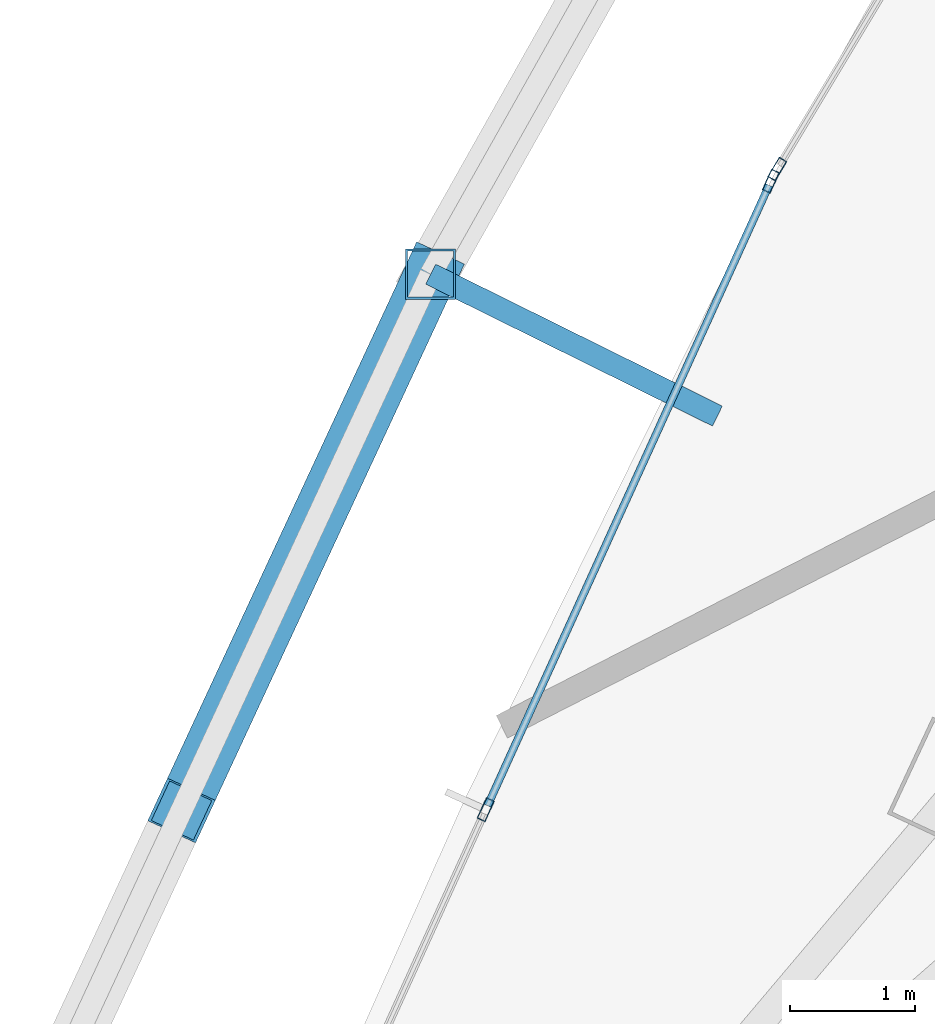
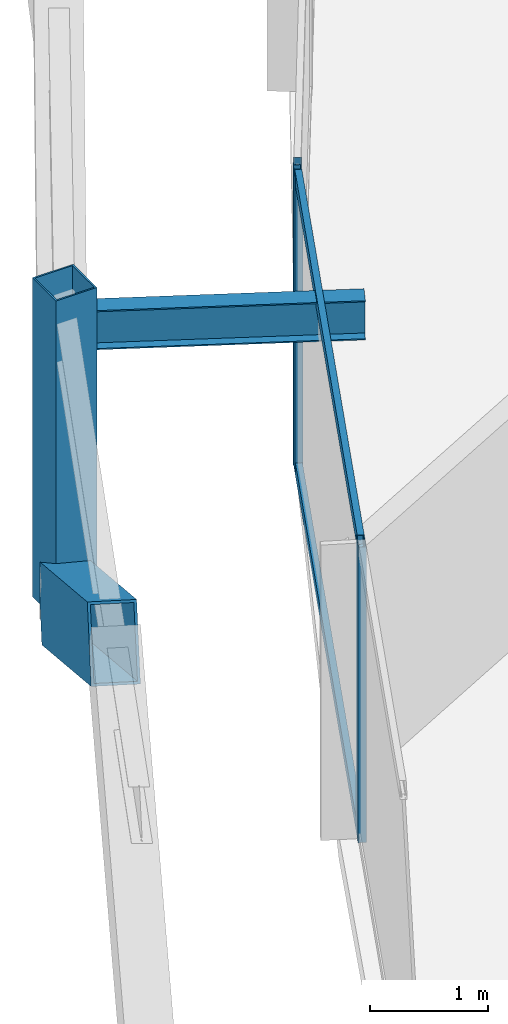
# One storey, part 10 of 31: 7 members, 1 beam, 2 elements without a shape of their own.
"""IFC4 building model written with IfcOpenShell, lengths in metres."""

import ifcopenshell
import ifcopenshell.guid

model = None  # the IFC model being written
_history = None  # IfcOwnerHistory: only IFC2X3 demands one
_inside = {}  # id of a spatial element -> (the spatial element, [elements in it])
_under = {}  # id of a project, library or spatial element -> (it, [spatial elements below it])
_declared = {}  # id of a project -> (the project, [libraries it declares])
_typed = {}  # id of a type object -> (the type object, [elements of that type])
_made_of = {}  # id of a material, layer set ... -> (it, [elements and type objects made of it])


def new_model(schema):
    """Start an empty IFC model of exactly this schema.

    Asked for "IFC4X3", IfcOpenShell would pick the latest addendum, in which some entities
    have other attributes; the version numbers below select the first issue.
    IFC2X3 requires an IfcOwnerHistory on every rooted entity: one is made here for all.
    """
    global model, _history
    if schema == "IFC4X3":
        model = ifcopenshell.file(schema_version=(4, 3, 0, 0))
    else:
        model = ifcopenshell.file(schema=schema)
    _inside.clear()
    _under.clear()
    _declared.clear()
    _typed.clear()
    _made_of.clear()
    _history = None
    if model.schema == "IFC2X3":
        org = make("IfcOrganization", Name="unknown")
        user = make(
            "IfcPersonAndOrganization",
            ThePerson=make("IfcPerson", FamilyName="unknown"),
            TheOrganization=org,
        )
        app = make(
            "IfcApplication",
            ApplicationDeveloper=org,
            Version="unknown",
            ApplicationFullName="unknown",
            ApplicationIdentifier="unknown",
        )
        _history = make(
            "IfcOwnerHistory",
            OwningUser=user,
            OwningApplication=app,
            ChangeAction="ADDED",
            CreationDate=0,
        )
    return model


def make(cls, **values):
    """One entity of the class cls with the attributes given. An attribute that is None is left unset."""
    return model.create_entity(
        cls, **{name: value for name, value in values.items() if value is not None}
    )


def rooted(cls, **values):
    """An entity with a GlobalId (a new one), such as an element, a storey or a relation."""
    return make(cls, GlobalId=ifcopenshell.guid.new(), OwnerHistory=_history, **values)


def si_unit(unit_type, name, prefix=None):
    """IfcSIUnit, for example si_unit("LENGTHUNIT", "METRE", prefix="MILLI")."""
    return make("IfcSIUnit", UnitType=unit_type, Prefix=prefix, Name=name)


def assignment(units):
    """IfcUnitAssignment: the units of a project."""
    return None if units is None else make("IfcUnitAssignment", Units=units)


def point(xyz):
    """IfcCartesianPoint."""
    return None if xyz is None else make("IfcCartesianPoint", Coordinates=xyz)


def direction(xyz):
    """IfcDirection."""
    return None if xyz is None else make("IfcDirection", DirectionRatios=xyz)


def frame(location, z_axis=None, x_axis=None):
    """IfcAxis2Placement3D, a coordinate frame: its origin and axes. An axis left out is left unset."""
    return make(
        "IfcAxis2Placement3D",
        Location=point(location),
        Axis=direction(z_axis),
        RefDirection=direction(x_axis),
    )


def frame_2d(location, x_axis=None):
    """IfcAxis2Placement2D, a coordinate frame in the plane: its origin and x axis."""
    return make(
        "IfcAxis2Placement2D", Location=point(location), RefDirection=direction(x_axis)
    )


def origin():
    """The frame at (0, 0, 0) with its axes left unset."""
    return frame((0.0, 0.0, 0.0))


def origin_2d():
    """The frame at (0, 0) in the plane with its x axis left unset."""
    return frame_2d((0.0, 0.0))


def place(relative_to, where):
    """IfcLocalPlacement: puts the frame where relative to a parent placement (None: the world)."""
    return make(
        "IfcLocalPlacement", PlacementRelTo=relative_to, RelativePlacement=where
    )


def context(
    kind, dimensions, precision=None, world=None, true_north=None, identifier=None
):
    """IfcGeometricRepresentationContext, for example the 3D "Model" context."""
    return make(
        "IfcGeometricRepresentationContext",
        ContextIdentifier=identifier,
        ContextType=kind,
        CoordinateSpaceDimension=dimensions,
        Precision=precision,
        WorldCoordinateSystem=world,
        TrueNorth=true_north,
    )


def subcontext(parent, identifier, kind, view, scale=None):
    """IfcGeometricRepresentationSubContext, for example "Body" below "Model"."""
    return make(
        "IfcGeometricRepresentationSubContext",
        ContextIdentifier=identifier,
        ContextType=kind,
        ParentContext=parent,
        TargetScale=scale,
        TargetView=view,
    )


def project(units=None, contexts=None):
    """IfcProject with its units and contexts."""
    return rooted(
        "IfcProject",
        Name="project",
        RepresentationContexts=contexts,
        UnitsInContext=assignment(units),
    )


def spatial(cls, under=None, at=None, **own):
    """A site, building, storey or space (cls), placed at a placement, below another one or the project."""
    s = rooted(cls, ObjectPlacement=at, **own)
    if under is not None:
        _under.setdefault(under.id(), (under, []))[1].append(s)
    return s


def profile(cls, at=None, kind="AREA", **sizes):
    """A parametric profile (cls). Its sizes go by their IFC names, for example OverallWidth=200.0."""
    return make(cls, ProfileType=kind, Position=at, **sizes)


def hollow_rectangle(**sizes):
    """IfcRectangleHollowProfileDef."""
    return profile("IfcRectangleHollowProfileDef", **sizes)


def i_section(**sizes):
    """IfcIShapeProfileDef."""
    return profile("IfcIShapeProfileDef", **sizes)


def extrude(swept, where, along, depth):
    """IfcExtrudedAreaSolid: the profile swept, set in the frame where, extruded along a direction by depth."""
    return make(
        "IfcExtrudedAreaSolid",
        SweptArea=swept,
        Position=where,
        ExtrudedDirection=direction(along),
        Depth=depth,
    )


def shape(context_of_items, identifier, shape_type, items):
    """IfcShapeRepresentation: the items that make up one representation, for example the "Body"."""
    return make(
        "IfcShapeRepresentation",
        ContextOfItems=context_of_items,
        RepresentationIdentifier=identifier,
        RepresentationType=shape_type,
        Items=items,
    )


def material(Name=None, Category=None):
    """IfcMaterial."""
    return make("IfcMaterial", Name=Name, Category=Category)


def layer(
    of_material, thickness, ventilated=None, Name=None, Category=None, Priority=None
):
    """IfcMaterialLayer: one layer of a wall or slab, of a material (None: an air gap)."""
    return make(
        "IfcMaterialLayer",
        Material=of_material,
        LayerThickness=thickness,
        IsVentilated=ventilated,
        Name=Name,
        Category=Category,
        Priority=Priority,
    )


def layer_set(layers, Name=None):
    """IfcMaterialLayerSet."""
    return make("IfcMaterialLayerSet", MaterialLayers=layers, LayerSetName=Name)


def material_profile(
    of_material, cross_section, Name=None, Category=None, Priority=None
):
    """IfcMaterialProfile: a cross section and its material."""
    return make(
        "IfcMaterialProfile",
        Name=Name,
        Material=of_material,
        Profile=cross_section,
        Priority=Priority,
        Category=Category,
    )


def profile_set(profiles, Name=None, composite=None):
    """IfcMaterialProfileSet."""
    return make(
        "IfcMaterialProfileSet",
        Name=Name,
        MaterialProfiles=profiles,
        CompositeProfile=composite,
    )


def made_of(thing, what):
    """Note that an element or type object is made of a material, layer set ...; save() writes the relation."""
    if what is not None:
        _made_of.setdefault(what.id(), (what, []))[1].append(thing)
    return thing


def type_object(cls, material=None, **own):
    """A type object (cls), such as IfcWallType, which elements share."""
    return made_of(rooted(cls, **own), material)


def element(
    cls,
    number,
    at=None,
    inside=None,
    cuts=None,
    type_object=None,
    material=None,
    context=None,
    identifier="Body",
    shape_type=None,
    held_by="IfcProductDefinitionShape",
    body=None,
    shapes=None,
    **own,
):
    """One element of the class cls, such as IfcWall. Its Tag is "e" and its number.

    at: its placement. inside: the storey or other place that contains it. cuts: it is an
    opening in that element (IfcRelVoidsElement). A single representation is given by context,
    identifier, shape_type and body (its items); several are given by shapes. held_by: the class
    of the entity that holds the representations. save() writes the other relations.
    """
    e = rooted(cls, Tag="e%d" % number, ObjectPlacement=at, **own)
    if body is not None:
        shapes = [shape(context, identifier, shape_type, body)]
    if shapes is not None:
        e.Representation = make(held_by, Representations=shapes)
    if inside is not None:
        _inside.setdefault(inside.id(), (inside, []))[1].append(e)
    if cuts is not None:
        rooted(
            "IfcRelVoidsElement", RelatingBuildingElement=cuts, RelatedOpeningElement=e
        )
    if type_object is not None:
        _typed.setdefault(type_object.id(), (type_object, []))[1].append(e)
    return made_of(e, material)


def aggregate(whole, parts):
    """IfcRelAggregates: a whole, such as a stair, and the parts it consists of."""
    return rooted("IfcRelAggregates", RelatingObject=whole, RelatedObjects=parts)


def save(model, path):
    """Write the relations noted so far, then the file.

    IfcRelAggregates (storeys below a building ...), IfcRelContainedInSpatialStructure (elements
    in a storey), IfcRelDefinesByType, IfcRelAssociatesMaterial and IfcRelDeclares: one each for
    every whole, place, type object, material and project.
    """
    for whole, parts in _under.values():
        aggregate(whole, parts)
    for where, things in _inside.values():
        rooted(
            "IfcRelContainedInSpatialStructure",
            RelatedElements=things,
            RelatingStructure=where,
        )
    for kind, things in _typed.values():
        rooted("IfcRelDefinesByType", RelatedObjects=things, RelatingType=kind)
    for what, things in _made_of.values():
        rooted("IfcRelAssociatesMaterial", RelatedObjects=things, RelatingMaterial=what)
    for by, libraries in _declared.values():
        rooted("IfcRelDeclares", RelatingContext=by, RelatedDefinitions=libraries)
    model.write(path)


model = new_model("IFC4")

# Units and contexts
model_context = context("Model", 3, precision=1e-05, world=origin(), true_north=direction((0.0, 1.0)))
body_context = subcontext(model_context, "Body", "Model", "MODEL_VIEW")
ifc_project = project(units=[si_unit("LENGTHUNIT", "METRE"), si_unit("AREAUNIT", "SQUARE_METRE"), si_unit("VOLUMEUNIT", "CUBIC_METRE"), si_unit("PLANEANGLEUNIT", "RADIAN"), si_unit("MASSUNIT", "GRAM", prefix="KILO")], contexts=[model_context])

# Site, building, storey
site_placement = place(None, origin())
site = spatial("IfcSite", under=ifc_project, at=site_placement, CompositionType="ELEMENT")
building_placement = place(site_placement, origin())
building = spatial("IfcBuilding", under=site, at=building_placement, Name="Orvanel Arch Residences", CompositionType="ELEMENT")
storey_placement = place(building_placement, frame((0.0, 0.0, 150.64990234375)))
storey = spatial("IfcBuildingStorey", under=building, at=storey_placement, Name="L42", CompositionType="ELEMENT", Elevation=150.64990234375)

# Member
ifc_material_1 = material(Name="Structural steel AS/NZS 3678 Grade 350", Category="steel")
ifc_material_profile_1 = material_profile(ifc_material_1, hollow_rectangle(XDim=0.419921875, YDim=0.719970703125, WallThickness=0.02490234375, at=origin_2d()), Name="RHS720x420x25")
ifc_profile_set_1 = profile_set([ifc_material_profile_1], Name="Structural steel AS/NZS 3678 Grade 350")
member_type_1 = type_object("IfcMemberType", Name="BR-720RHS-EXT", PredefinedType="BRACE", material=ifc_profile_set_1)
member_1_placement = place(storey_placement, frame((12.159912109375, 23.738037109375, 0.0), z_axis=(-0.360215812776, -0.775655269336, 0.518269689811), x_axis=(0.906968700479, -0.421198025104, 0.0)))
element("IfcMember", 1, at=member_1_placement, inside=storey, type_object=member_type_1, Name="L42 Exterior Sky-Garden V-Frame Chevron F1B3.1", PredefinedType="BRACE", context=body_context, shape_type="SweptSolid", body=[
    extrude(hollow_rectangle(XDim=0.419921875, YDim=0.719970703125, WallThickness=0.02490234375, at=origin_2d()), origin(), (0.0, 0.0, 1.0), 5.512939453125),
])

# Curtain wall, member
ifc_material_2 = material(Name="Bronze-anodised aluminium AA6063-T6", Category="aluminium")
ifc_layer = layer(ifc_material_2, 0.179931640625)
ifc_layer_set = layer_set([ifc_layer], Name="Bronze-anodised aluminium AA6063-T6")
curtain_wall_type = type_object("IfcCurtainWallType", Name="CW3-MID-SYS", PredefinedType="NOTDEFINED", material=ifc_layer_set)
curtain_wall_1_placement = place(storey_placement, origin())
curtain_wall_1 = element("IfcCurtainWall", 2, at=curtain_wall_1_placement, inside=storey, type_object=curtain_wall_type, Name="L42 CW3-MID-SYS Unitised Curtain Wall", PredefinedType="NOTDEFINED")
ifc_material_profile_2 = material_profile(ifc_material_2, hollow_rectangle(XDim=0.070068359375, YDim=0.179931640625, WallThickness=0.00439453125, at=origin_2d()), Name="ALU180x70x4.5")
ifc_profile_set_2 = profile_set([ifc_material_profile_2], Name="Bronze-anodised aluminium AA6063-T6")
member_type_2 = type_object("IfcMemberType", Name="MUL-180x70", PredefinedType="MULLION", material=ifc_profile_set_2)
member_2_placement = place(storey_placement, frame((14.923095703125, 24.575927734375, 0.0), z_axis=(0.0, 0.0, 1.0), x_axis=(0.857541106242, -0.514415446021, 0.0)))
member_2 = element("IfcMember", 3, at=member_2_placement, type_object=member_type_2, Name="CW-S3 mullion 3", PredefinedType="MULLION", context=body_context, shape_type="SweptSolid", body=[
    extrude(hollow_rectangle(XDim=0.070068359375, YDim=0.179931640625, WallThickness=0.00439453125, at=origin_2d()), origin(), (0.0, 0.0, 1.0), 3.06005859375),
])
aggregate(curtain_wall_1, [member_2])

# Curtain wall, members
curtain_wall_2_placement = place(storey_placement, origin())
curtain_wall_2 = element("IfcCurtainWall", 4, at=curtain_wall_2_placement, inside=storey, type_object=curtain_wall_type, Name="L42 CW3-MID-SYS Unitised Curtain Wall", PredefinedType="NOTDEFINED")
member_3_placement = place(storey_placement, frame((14.87255859375, 24.479248046875, 0.0), z_axis=(0.0, 0.0, 1.0), x_axis=(0.910648730279, -0.413181425091, 0.0)))
member_3 = element("IfcMember", 5, at=member_3_placement, type_object=member_type_2, Name="CW-S3 mullion 1", PredefinedType="MULLION", context=body_context, shape_type="SweptSolid", body=[
    extrude(hollow_rectangle(XDim=0.070068359375, YDim=0.179931640625, WallThickness=0.00439453125, at=origin_2d()), origin(), (0.0, 0.0, 1.0), 3.06005859375),
])
member_4_placement = place(storey_placement, frame((12.599365234375, 19.468994140625, 0.0), z_axis=(0.0, 0.0, 1.0), x_axis=(0.910648730279, -0.413181425091, 0.0)))
member_4 = element("IfcMember", 6, at=member_4_placement, type_object=member_type_2, Name="CW-S3 mullion 2", PredefinedType="MULLION", context=body_context, shape_type="SweptSolid", body=[
    extrude(hollow_rectangle(XDim=0.070068359375, YDim=0.179931640625, WallThickness=0.00439453125, at=origin_2d()), origin(), (0.0, 0.0, 1.0), 3.06005859375),
])

# Beam
ifc_material_3 = material(Name="Structural steel AS/NZS 3679.1 Grade 300 (300 MPa)", Category="steel")
ifc_material_profile_3 = material_profile(ifc_material_3, i_section(OverallWidth=0.177978515625, OverallDepth=0.406005859375, WebThickness=0.0078125, FlangeThickness=0.0126953125, at=origin_2d()), Name="410UB59.7")
ifc_profile_set_3 = profile_set([ifc_material_profile_3], Name="Structural steel AS/NZS 3679.1 Grade 300 (300 MPa)")
beam_type = type_object("IfcBeamType", Name="OB-410UB-EXT", PredefinedType="SPANDREL", material=ifc_profile_set_3)
beam_placement = place(storey_placement, frame((14.446044921875, 22.60693359375, 2.857177734375), z_axis=(-0.896295377038, 0.44345754825, 0.0), x_axis=(-0.44345754825, -0.896295377038, 0.0)))
element("IfcBeam", 7, at=beam_placement, inside=storey, type_object=beam_type, Name="L42 Outer Frame Radial Tie Beam 03", PredefinedType="SPANDREL", context=body_context, shape_type="SweptSolid", body=[
    extrude(i_section(OverallWidth=0.177978515625, OverallDepth=0.406005859375, WebThickness=0.0078125, FlangeThickness=0.0126953125, at=origin_2d()), origin(), (0.0, 0.0, 1.0), 2.550537109375),
])

# Member
ifc_material_4 = material(Name="Structural steel AS/NZS 1163 C450L0 (Grade 450)", Category="steel")
ifc_material_profile_4 = material_profile(ifc_material_4, hollow_rectangle(XDim=0.39990234375, YDim=0.39990234375, WallThickness=0.01611328125, at=origin_2d()), Name="SHS400x400x16")
ifc_profile_set_4 = profile_set([ifc_material_profile_4], Name="Structural steel AS/NZS 1163 C450L0 (Grade 450)")
member_type_3 = type_object("IfcMemberType", Name="ST-400SHS-EXT", PredefinedType="STRUT", material=ifc_profile_set_4)
member_5_placement = place(storey_placement, frame((12.159912109375, 23.738037109375, 0.0), z_axis=(0.0, 0.0, 1.0), x_axis=(1.0, 0.0, 0.0)))
element("IfcMember", 8, at=member_5_placement, inside=storey, type_object=member_type_3, Name="L42 Outer Perimeter Frame Post 03", PredefinedType="STRUT", context=body_context, shape_type="SweptSolid", body=[
    extrude(hollow_rectangle(XDim=0.39990234375, YDim=0.39990234375, WallThickness=0.01611328125, at=origin_2d()), origin(), (0.0, 0.0, 1.0), 3.300048828125),
])

ifc_material_profile_5 = material_profile(ifc_material_2, hollow_rectangle(XDim=0.06005859375, YDim=0.135009765625, WallThickness=0.00390625, at=origin_2d()), Name="ALU135x60x4")
ifc_profile_set_5 = profile_set([ifc_material_profile_5], Name="Bronze-anodised aluminium AA6063-T6")
member_type_4 = type_object("IfcMemberType", Name="TRN-135x60", PredefinedType="USERDEFINED", material=ifc_profile_set_5)
member_6_placement = place(storey_placement, frame((14.858154296875, 24.447265625, 0.030029296875), z_axis=(-0.413203450415, -0.910638736583, 0.0), x_axis=(0.910638736583, -0.413203450415, 0.0)))
member_6 = element("IfcMember", 9, at=member_6_placement, type_object=member_type_4, Name="CW-S3 transom 1.1", ObjectType="TRANSOM", PredefinedType="USERDEFINED", context=body_context, shape_type="SweptSolid", body=[
    extrude(hollow_rectangle(XDim=0.06005859375, YDim=0.135009765625, WallThickness=0.00390625, at=origin_2d()), origin(), (0.0, 0.0, 1.0), 5.431640625),
])

member_7_placement = place(storey_placement, frame((14.858154296875, 24.447265625, 3.030029296875), z_axis=(-0.413203450415, -0.910638736583, 0.0), x_axis=(0.910638736583, -0.413203450415, 0.0)))
member_7 = element("IfcMember", 10, at=member_7_placement, type_object=member_type_4, Name="CW-S3 transom 1.2", ObjectType="TRANSOM", PredefinedType="USERDEFINED", context=body_context, shape_type="SweptSolid", body=[
    extrude(hollow_rectangle(XDim=0.06005859375, YDim=0.135009765625, WallThickness=0.00390625, at=origin_2d()), origin(), (0.0, 0.0, 1.0), 5.431640625),
])

aggregate(curtain_wall_2, [member_3, member_4, member_6, member_7])

save(model, "model.ifc")
